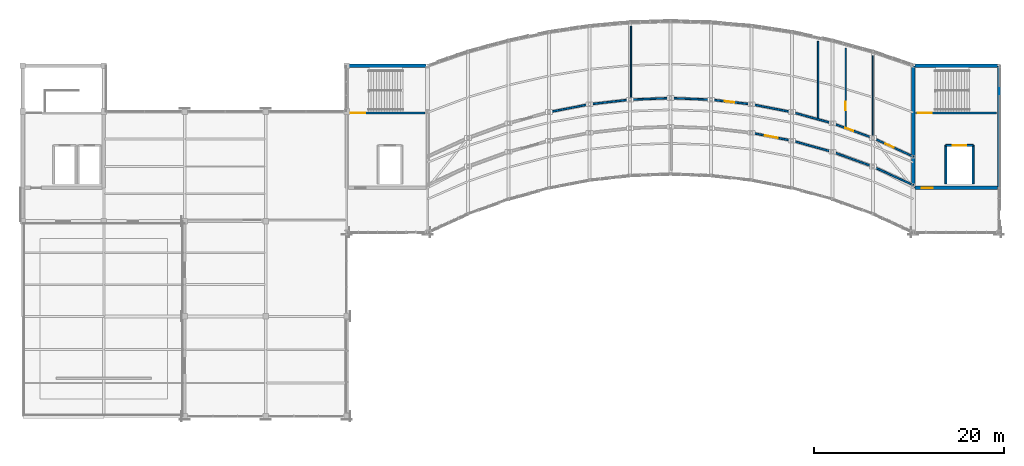
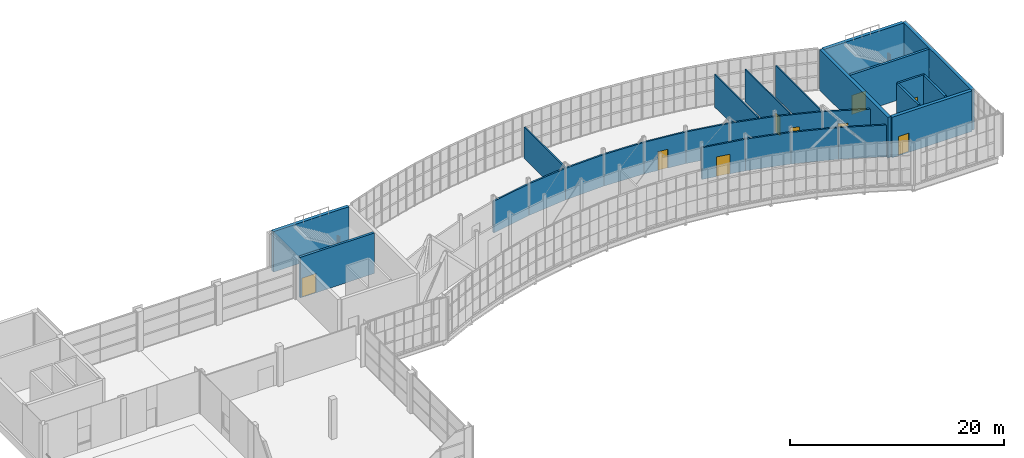
# One storey, part 41 of 46: 27 walls, 9 doors, 9 openings.
"""IFC4 building model written with IfcOpenShell, lengths in metres."""

from ifc_helpers import new_model, si_unit, direction, frame, frame_2d, origin, place, context, subcontext, project, spatial, rectangle, extrude, material, layer, layer_set, type_object, element, fill, save


model = new_model("IFC4")

# Units and contexts
model_context = context("Model", 3, precision=1e-05, world=origin(), true_north=direction((0.0, 1.0)))
body_context = subcontext(model_context, "Body", "Model", "MODEL_VIEW")
ifc_project = project(units=[si_unit("LENGTHUNIT", "METRE"), si_unit("AREAUNIT", "SQUARE_METRE"), si_unit("VOLUMEUNIT", "CUBIC_METRE"), si_unit("PLANEANGLEUNIT", "RADIAN"), si_unit("MASSUNIT", "GRAM", prefix="KILO")], contexts=[model_context])

# Site, building, storey
site_placement = place(None, origin())
site = spatial("IfcSite", under=ifc_project, at=site_placement, CompositionType="ELEMENT")
building_placement = place(site_placement, origin())
building = spatial("IfcBuilding", under=site, at=building_placement, Name="Solvikara Media Centre", CompositionType="ELEMENT")
storey_placement = place(building_placement, frame((0.0, 0.0, 24.60009765625)))
storey = spatial("IfcBuildingStorey", under=building, at=storey_placement, Name="L05", CompositionType="ELEMENT", Elevation=24.60009765625)

# Walls
ifc_material_1 = material(Name="Concrete fc' 45 MPa (C45/55)", Category="concrete")
ifc_layer_1 = layer(ifc_material_1, 0.35009765625)
ifc_layer_set_1 = layer_set([ifc_layer_1], Name="Concrete fc' 45 MPa (C45/55)")
wall_type_1 = type_object("IfcWallType", Name="WT-03", PredefinedType="SHEAR", material=ifc_layer_set_1)
wall_1_placement = place(storey_placement, frame((68.175048828125, 36.800048828125, 0.0), z_axis=(0.0, 0.0, 1.0), x_axis=(1.0, 0.0, 0.0)))
element("IfcWall", 1, at=wall_1_placement, inside=storey, type_object=wall_type_1, Name="CW-C3-L05-N", PredefinedType="SHEAR", context=body_context, shape_type="SweptSolid", body=[
    extrude(rectangle(XDim=8.14990234375, YDim=0.35009765625, at=frame_2d((4.074951171875, 0.0))), origin(), (0.0, 0.0, 1.0), 4.639892578125),
])
for number, where, z_axis, x_axis, name in (
    (2, (127.5, 24.0, 0.0), (0.0, 0.0, 1.0), (0.0, 1.0, 0.0), "CW-C4-L05-W"),
    (3, (136.5, 24.0, 0.0), (0.0, 0.0, 1.0), (0.0, 1.0, 0.0), "CW-C4-L05-E"),
):
    element("IfcWall", number, at=place(storey_placement, frame(where, z_axis=z_axis, x_axis=x_axis)), inside=storey, type_object=wall_type_1, Name=name, PredefinedType="SHEAR", context=body_context, shape_type="SweptSolid", body=[
        extrude(rectangle(XDim=12.800048828125, YDim=0.35009765625, at=frame_2d((6.39990234375, 0.0))), origin(), (0.0, 0.0, 1.0), 4.639892578125),
    ])
wall_2_placement = place(storey_placement, frame((127.675048828125, 36.800048828125, 0.0), z_axis=(0.0, 0.0, 1.0), x_axis=(1.0, 0.0, 0.0)))
element("IfcWall", 4, at=wall_2_placement, inside=storey, type_object=wall_type_1, Name="CW-C4-L05-N", PredefinedType="SHEAR", context=body_context, shape_type="SweptSolid", body=[
    extrude(rectangle(XDim=8.64990234375, YDim=0.35009765625, at=frame_2d((4.324951171875, 0.0))), origin(), (0.0, 0.0, 1.0), 4.639892578125),
])

# Wall, opening, door
wall_3_placement = place(storey_placement, frame((127.675048828125, 24.0, 0.0), z_axis=(0.0, 0.0, 1.0), x_axis=(1.0, 0.0, 0.0)))
wall_3 = element("IfcWall", 5, at=wall_3_placement, inside=storey, type_object=wall_type_1, Name="CW-C4-L05-S", PredefinedType="SHEAR", context=body_context, shape_type="SweptSolid", body=[
    extrude(rectangle(XDim=8.64990234375, YDim=0.35009765625, at=frame_2d((4.324951171875, 0.0))), origin(), (0.0, 0.0, 1.0), 4.639892578125),
])
opening_1_placement = place(wall_3_placement, frame((0.699951171875, 0.0, 0.0)))
opening_1 = element("IfcOpeningElement", 6, at=opening_1_placement, cuts=wall_3, Name="Opening D-C4-L05-LOB", PredefinedType="OPENING", context=body_context, shape_type="SweptSolid", body=[
    extrude(rectangle(XDim=1.14990234375, YDim=2.199951171875, at=frame_2d((0.574951171875, 1.10009765625))), frame((0.0, 0.18701171875, 0.0), z_axis=(0.0, -1.0, 0.0), x_axis=(1.0, 0.0, 0.0)), (0.0, 0.0, 1.0), 0.3740234375),
])
ifc_material_2 = material(Name="Insulated fire-rated steel door leaf", Category="steel")
door_type_1 = type_object("IfcDoorType", Name="DT-09", OperationType="NOTDEFINED", PredefinedType="DOOR", material=ifc_material_2)
door_1_placement = place(opening_1_placement, frame((1.14990234375, 0.0, 0.0), z_axis=(0.0, 0.0, 1.0), x_axis=(-1.0, 0.0, 0.0)))
door_1 = element("IfcDoor", 7, at=door_1_placement, inside=storey, type_object=door_type_1, Name="D-C4-L05-LOB", OperationType="SINGLE_SWING_RIGHT", OverallHeight=2.199951171875, OverallWidth=1.14990234375, PredefinedType="DOOR", context=body_context, shape_type="SweptSolid", body=[
    extrude(rectangle(XDim=1.14990234375, YDim=2.199951171875, at=frame_2d((0.574951171875, 1.10009765625))), frame((0.0, 0.02490234375, 0.0), z_axis=(0.0, -1.0, 0.0), x_axis=(1.0, 0.0, 0.0)), (0.0, 0.0, 1.0), 0.050048828125),
])
fill(opening_1, door_1)

ifc_layer_2 = layer(ifc_material_1, 0.25)
ifc_layer_set_2 = layer_set([ifc_layer_2], Name="Concrete fc' 45 MPa (C45/55)")
wall_type_2 = type_object("IfcWallType", Name="WT-07", PredefinedType="STANDARD", material=ifc_layer_set_2)
wall_4_placement = place(storey_placement, frame((68.25, 31.85009765625, 0.0), z_axis=(0.0, 0.0, 1.0), x_axis=(1.0, 0.0, 0.0)))
wall_4 = element("IfcWall", 8, at=wall_4_placement, inside=storey, type_object=wall_type_2, Name="CW-C3-L05-SD", PredefinedType="STANDARD", context=body_context, shape_type="SweptSolid", body=[
    extrude(rectangle(XDim=8.0, YDim=0.25, at=frame_2d((4.0, 0.0))), origin(), (0.0, 0.0, 1.0), 4.639892578125),
])
opening_2_placement = place(wall_4_placement, frame((0.199951171875, 0.0, 0.0)))
opening_2 = element("IfcOpeningElement", 9, at=opening_2_placement, cuts=wall_4, Name="Opening D-C3-L05-ST", PredefinedType="OPENING", context=body_context, shape_type="SweptSolid", body=[
    extrude(rectangle(XDim=1.5, YDim=2.199951171875, at=frame_2d((0.75, 1.10009765625))), frame((0.0, 0.136962890625, 0.0), z_axis=(0.0, -1.0, 0.0), x_axis=(1.0, 0.0, 0.0)), (0.0, 0.0, 1.0), 0.27392578125),
])
door_type_2 = type_object("IfcDoorType", Name="DT-08", OperationType="DOUBLE_DOOR_SINGLE_SWING", PredefinedType="DOOR", material=ifc_material_2)
door_2_placement = place(opening_2_placement, frame((1.5, 0.0, 0.0), z_axis=(0.0, 0.0, 1.0), x_axis=(-1.0, 0.0, 0.0)))
door_2 = element("IfcDoor", 10, at=door_2_placement, inside=storey, type_object=door_type_2, Name="D-C3-L05-ST", OperationType="DOUBLE_DOOR_SINGLE_SWING", OverallHeight=2.199951171875, OverallWidth=1.5, PredefinedType="DOOR", context=body_context, shape_type="SweptSolid", body=[
    extrude(rectangle(XDim=1.5, YDim=2.199951171875, at=frame_2d((0.75, 1.10009765625))), frame((0.0, 0.02490234375, 0.0), z_axis=(0.0, -1.0, 0.0), x_axis=(1.0, 0.0, 0.0)), (0.0, 0.0, 1.0), 0.050048828125),
])
fill(opening_2, door_2)

wall_5_placement = place(storey_placement, frame((127.75, 31.85009765625, 0.0), z_axis=(0.0, 0.0, 1.0), x_axis=(1.0, 0.0, 0.0)))
wall_5 = element("IfcWall", 11, at=wall_5_placement, inside=storey, type_object=wall_type_2, Name="CW-C4-L05-SD", PredefinedType="STANDARD", context=body_context, shape_type="SweptSolid", body=[
    extrude(rectangle(XDim=8.5, YDim=0.25, at=frame_2d((4.25, 0.0))), origin(), (0.0, 0.0, 1.0), 4.639892578125),
])
opening_3_placement = place(wall_5_placement, frame((0.199951171875, 0.0, 0.0)))
opening_3 = element("IfcOpeningElement", 12, at=opening_3_placement, cuts=wall_5, Name="Opening D-C4-L05-ST", PredefinedType="OPENING", context=body_context, shape_type="SweptSolid", body=[
    extrude(rectangle(XDim=1.5, YDim=2.199951171875, at=frame_2d((0.75, 1.10009765625))), frame((0.0, 0.136962890625, 0.0), z_axis=(0.0, -1.0, 0.0), x_axis=(1.0, 0.0, 0.0)), (0.0, 0.0, 1.0), 0.27392578125),
])
door_3_placement = place(opening_3_placement, frame((1.5, 0.0, 0.0), z_axis=(0.0, 0.0, 1.0), x_axis=(-1.0, 0.0, 0.0)))
door_3 = element("IfcDoor", 13, at=door_3_placement, inside=storey, type_object=door_type_2, Name="D-C4-L05-ST", OperationType="DOUBLE_DOOR_SINGLE_SWING", OverallHeight=2.199951171875, OverallWidth=1.5, PredefinedType="DOOR", context=body_context, shape_type="SweptSolid", body=[
    extrude(rectangle(XDim=1.5, YDim=2.199951171875, at=frame_2d((0.75, 1.10009765625))), frame((0.0, 0.02490234375, 0.0), z_axis=(0.0, -1.0, 0.0), x_axis=(1.0, 0.0, 0.0)), (0.0, 0.0, 1.0), 0.050048828125),
])
fill(opening_3, door_3)

# Walls
ifc_material_3 = material(Name="Fire-rated gypsum and mineral-wool shaft wall assembly")
ifc_layer_3 = layer(ifc_material_3, 0.2099609375)
ifc_layer_set_3 = layer_set([ifc_layer_3], Name="Fire-rated gypsum and mineral-wool shaft wall assembly")
wall_type_3 = type_object("IfcWallType", Name="WT-17", PredefinedType="PARTITIONING", material=ifc_layer_set_3)
for number, where, z_axis, x_axis, name in (
    (14, (130.929931640625, 24.39990234375, 0.0), (0.0, 0.0, 1.0), (0.0, 1.0, 0.0), "LW-LF-G1-L05-W"),
    (15, (133.77001953125, 24.39990234375, 0.0), (0.0, 0.0, 1.0), (0.0, 1.0, 0.0), "LW-LF-G1-L05-E"),
):
    element("IfcWall", number, at=place(storey_placement, frame(where, z_axis=z_axis, x_axis=x_axis)), inside=storey, type_object=wall_type_3, Name=name, PredefinedType="PARTITIONING", context=body_context, shape_type="SweptSolid", body=[
        extrude(rectangle(XDim=4.050048828125, YDim=0.2099609375, at=frame_2d((2.02490234375, 0.0))), origin(), (0.0, 0.0, 1.0), 4.639892578125),
    ])

# Wall, opening, door
wall_6_placement = place(storey_placement, frame((130.929931640625, 28.449951171875, 0.0), z_axis=(0.0, 0.0, 1.0), x_axis=(1.0, 0.0, 0.0)))
wall_6 = element("IfcWall", 16, at=wall_6_placement, inside=storey, type_object=wall_type_3, Name="LW-LF-G1-L05-N", PredefinedType="PARTITIONING", context=body_context, shape_type="SweptSolid", body=[
    extrude(rectangle(XDim=2.840087890625, YDim=0.2099609375, at=frame_2d((1.419921875, 0.0))), origin(), (0.0, 0.0, 1.0), 4.639892578125),
])
opening_4_placement = place(wall_6_placement, frame((0.719970703125, 0.0, 0.0)))
opening_4 = element("IfcOpeningElement", 17, at=opening_4_placement, cuts=wall_6, Name="Opening LD-LF-G1-L05", PredefinedType="OPENING", context=body_context, shape_type="SweptSolid", body=[
    extrude(rectangle(XDim=1.39990234375, YDim=2.35009765625, at=frame_2d((0.699951171875, 1.175048828125))), frame((0.0, 0.116943359375, 0.0), z_axis=(0.0, -1.0, 0.0), x_axis=(1.0, 0.0, 0.0)), (0.0, 0.0, 1.0), 0.23388671875),
])
door_type_3 = type_object("IfcDoorType", Name="LD-03", OperationType="DOUBLE_DOOR_SLIDING", PredefinedType="DOOR", material=ifc_material_2)
door_4_placement = place(opening_4_placement, origin())
door_4 = element("IfcDoor", 18, at=door_4_placement, inside=storey, type_object=door_type_3, Name="LD-LF-G1-L05", OperationType="DOUBLE_DOOR_SLIDING", OverallHeight=2.35009765625, OverallWidth=1.39990234375, PredefinedType="DOOR", context=body_context, shape_type="SweptSolid", body=[
    extrude(rectangle(XDim=1.39990234375, YDim=2.35009765625, at=frame_2d((0.699951171875, 1.175048828125))), frame((0.0, 0.02490234375, 0.0), z_axis=(0.0, -1.0, 0.0), x_axis=(1.0, 0.0, 0.0)), (0.0, 0.0, 1.0), 0.050048828125),
])
fill(opening_4, door_4)

# Walls
ifc_layer_4 = layer(ifc_material_3, 0.179931640625)
ifc_layer_set_4 = layer_set([ifc_layer_4], Name="Fire-rated gypsum and mineral-wool shaft wall assembly")
wall_type_4 = type_object("IfcWallType", Name="WT-18", PredefinedType="PARTITIONING", material=ifc_layer_set_4)
wall_7_placement = place(storey_placement, frame((89.25, 31.946044921875, 0.0), z_axis=(0.0, 0.0, 1.0), x_axis=(0.981803941213, 0.189897396029, 0.0)))
element("IfcWall", 19, at=wall_7_placement, inside=storey, type_object=wall_type_4, Name="PW-L05-144", PredefinedType="PARTITIONING", context=body_context, shape_type="SweptSolid", body=[
    extrude(rectangle(XDim=4.328857421875, YDim=0.179931640625, at=frame_2d((2.16455078125, 0.0))), origin(), (0.0, 0.0, 1.0), 3.617919921875),
])
wall_8_placement = place(storey_placement, frame((93.5, 32.76806640625, 0.0), z_axis=(0.0, 0.0, 1.0), x_axis=(0.993503575407, 0.113800903571, 0.0)))
element("IfcWall", 20, at=wall_8_placement, inside=storey, type_object=wall_type_4, Name="PW-L05-146", PredefinedType="PARTITIONING", context=body_context, shape_type="SweptSolid", body=[
    extrude(rectangle(XDim=4.27783203125, YDim=0.179931640625, at=frame_2d((2.138916015625, 0.0))), origin(), (0.0, 0.0, 1.0), 3.617919921875),
])
for number, where, z_axis, x_axis, name in (
    (21, (97.75, 33.2548828125, 0.0), (0.0, 0.0, 1.0), (0.999273334025, 0.038115664855, 0.0), "PW-L05-148"),
    (22, (102.0, 33.4169921875, 0.0), (0.0, 0.0, 1.0), (0.999273334025, -0.038115664855, 0.0), "PW-L05-150"),
):
    element("IfcWall", number, at=place(storey_placement, frame(where, z_axis=z_axis, x_axis=x_axis)), inside=storey, type_object=wall_type_4, Name=name, PredefinedType="PARTITIONING", context=body_context, shape_type="SweptSolid", body=[
        extrude(rectangle(XDim=4.253173828125, YDim=0.179931640625, at=frame_2d((2.12646484375, 0.0))), origin(), (0.0, 0.0, 1.0), 3.617919921875),
    ])

# Wall, opening, door
wall_9_placement = place(storey_placement, frame((106.25, 33.2548828125, 0.0), z_axis=(0.0, 0.0, 1.0), x_axis=(0.993503575407, -0.113800903571, 0.0)))
wall_9 = element("IfcWall", 23, at=wall_9_placement, inside=storey, type_object=wall_type_4, Name="PW-L05-152", PredefinedType="PARTITIONING", context=body_context, shape_type="SweptSolid", body=[
    extrude(rectangle(XDim=4.27783203125, YDim=0.179931640625, at=frame_2d((2.138916015625, 0.0))), origin(), (0.0, 0.0, 1.0), 3.617919921875),
])
opening_5_placement = place(wall_9_placement, frame((1.449951171875, 0.0, 0.0)))
opening_5 = element("IfcOpeningElement", 24, at=opening_5_placement, cuts=wall_9, Name="Opening D-L05-152-1", PredefinedType="OPENING", context=body_context, shape_type="SweptSolid", body=[
    extrude(rectangle(XDim=1.0, YDim=2.14990234375, at=frame_2d((0.5, 1.074951171875))), frame((0.0, 0.10205078125, 0.0), z_axis=(0.0, -1.0, 0.0), x_axis=(1.0, 0.0, 0.0)), (0.0, 0.0, 1.0), 0.203857421875),
])
ifc_material_4 = material(Name="Solid core acoustic hardwood timber", Category="wood")
door_type_4 = type_object("IfcDoorType", Name="DT-16", OperationType="NOTDEFINED", PredefinedType="DOOR", material=ifc_material_4)
door_5_placement = place(opening_5_placement, origin())
door_5 = element("IfcDoor", 25, at=door_5_placement, inside=storey, type_object=door_type_4, Name="D-L05-152-1", OperationType="SINGLE_SWING_RIGHT", OverallHeight=2.14990234375, OverallWidth=1.0, PredefinedType="DOOR", context=body_context, shape_type="SweptSolid", body=[
    extrude(rectangle(XDim=1.0, YDim=2.14990234375, at=frame_2d((0.5, 1.074951171875))), frame((0.0, 0.02490234375, 0.0), z_axis=(0.0, -1.0, 0.0), x_axis=(1.0, 0.0, 0.0)), (0.0, 0.0, 1.0), 0.050048828125),
])
fill(opening_5, door_5)

wall_10_placement = place(storey_placement, frame((110.5, 29.76806640625, 0.0), z_axis=(0.0, 0.0, 1.0), x_axis=(0.981803941213, -0.189897396029, 0.0)))
wall_10 = element("IfcWall", 26, at=wall_10_placement, inside=storey, type_object=wall_type_4, Name="PW-L05-153", PredefinedType="PARTITIONING", context=body_context, shape_type="SweptSolid", body=[
    extrude(rectangle(XDim=4.328857421875, YDim=0.179931640625, at=frame_2d((2.16455078125, 0.0))), origin(), (0.0, 0.0, 1.0), 3.617919921875),
])
opening_6_placement = place(wall_10_placement, frame((1.449951171875, 0.0, 0.0)))
opening_6 = element("IfcOpeningElement", 27, at=opening_6_placement, cuts=wall_10, Name="Opening D-L05-153-1", PredefinedType="OPENING", context=body_context, shape_type="SweptSolid", body=[
    extrude(rectangle(XDim=1.35009765625, YDim=2.25, at=frame_2d((0.675048828125, 1.125))), frame((0.0, 0.10205078125, 0.0), z_axis=(0.0, -1.0, 0.0), x_axis=(1.0, 0.0, 0.0)), (0.0, 0.0, 1.0), 0.203857421875),
])
ifc_material_5 = material(Name="Anodised aluminium EN AW-6063", Category="aluminium")
door_type_5 = type_object("IfcDoorType", Name="DT-20", OperationType="DOUBLE_DOOR_SINGLE_SWING", PredefinedType="DOOR", material=ifc_material_5)
door_6_placement = place(opening_6_placement, origin())
door_6 = element("IfcDoor", 28, at=door_6_placement, inside=storey, type_object=door_type_5, Name="D-L05-153-1", OperationType="DOUBLE_DOOR_SINGLE_SWING", OverallHeight=2.25, OverallWidth=1.35009765625, PredefinedType="DOOR", context=body_context, shape_type="SweptSolid", body=[
    extrude(rectangle(XDim=1.35009765625, YDim=2.25, at=frame_2d((0.675048828125, 1.125))), frame((0.0, 0.02490234375, 0.0), z_axis=(0.0, -1.0, 0.0), x_axis=(1.0, 0.0, 0.0)), (0.0, 0.0, 1.0), 0.050048828125),
])
fill(opening_6, door_6)

# Walls
wall_11_placement = place(storey_placement, frame((110.5, 32.76806640625, 0.0), z_axis=(0.0, 0.0, 1.0), x_axis=(0.981803941213, -0.189897396029, 0.0)))
element("IfcWall", 29, at=wall_11_placement, inside=storey, type_object=wall_type_4, Name="PW-L05-154", PredefinedType="PARTITIONING", context=body_context, shape_type="SweptSolid", body=[
    extrude(rectangle(XDim=4.328857421875, YDim=0.179931640625, at=frame_2d((2.16455078125, 0.0))), origin(), (0.0, 0.0, 1.0), 3.617919921875),
])
for number, where, z_axis, x_axis, name in (
    (30, (114.75, 28.946044921875, 0.0), (0.0, 0.0, 1.0), (0.964009749544, -0.265866889221, 0.0), "PW-L05-155"),
    (31, (114.75, 31.946044921875, 0.0), (0.0, 0.0, 1.0), (0.964009749544, -0.265866889221, 0.0), "PW-L05-156"),
):
    element("IfcWall", number, at=place(storey_placement, frame(where, z_axis=z_axis, x_axis=x_axis)), inside=storey, type_object=wall_type_4, Name=name, PredefinedType="PARTITIONING", context=body_context, shape_type="SweptSolid", body=[
        extrude(rectangle(XDim=4.40869140625, YDim=0.179931640625, at=frame_2d((2.204345703125, 0.0))), origin(), (0.0, 0.0, 1.0), 3.617919921875),
    ])
wall_12_placement = place(storey_placement, frame((119.0, 27.77392578125, 0.0), z_axis=(0.0, 0.0, 1.0), x_axis=(0.939831249065, -0.341639024821, 0.0)))
element("IfcWall", 32, at=wall_12_placement, inside=storey, type_object=wall_type_4, Name="PW-L05-157", PredefinedType="PARTITIONING", context=body_context, shape_type="SweptSolid", body=[
    extrude(rectangle(XDim=4.52197265625, YDim=0.179931640625, at=frame_2d((2.260986328125, 0.0))), origin(), (0.0, 0.0, 1.0), 3.617919921875),
])

# Wall, opening, door
wall_13_placement = place(storey_placement, frame((119.0, 30.77392578125, 0.0), z_axis=(0.0, 0.0, 1.0), x_axis=(0.939831249065, -0.341639024821, 0.0)))
wall_13 = element("IfcWall", 33, at=wall_13_placement, inside=storey, type_object=wall_type_4, Name="PW-L05-158", PredefinedType="PARTITIONING", context=body_context, shape_type="SweptSolid", body=[
    extrude(rectangle(XDim=4.52197265625, YDim=0.179931640625, at=frame_2d((2.260986328125, 0.0))), origin(), (0.0, 0.0, 1.0), 3.617919921875),
])
opening_7_placement = place(wall_13_placement, frame((1.449951171875, 0.0, 0.0)))
opening_7 = element("IfcOpeningElement", 34, at=opening_7_placement, cuts=wall_13, Name="Opening D-L05-158-1", PredefinedType="OPENING", context=body_context, shape_type="SweptSolid", body=[
    extrude(rectangle(XDim=0.89990234375, YDim=2.14990234375, at=frame_2d((0.449951171875, 1.074951171875))), frame((0.0, 0.10205078125, 0.0), z_axis=(0.0, -1.0, 0.0), x_axis=(1.0, 0.0, 0.0)), (0.0, 0.0, 1.0), 0.203857421875),
])
door_type_6 = type_object("IfcDoorType", Name="DT-18", OperationType="NOTDEFINED", PredefinedType="DOOR", material=ifc_material_4)
door_7_placement = place(opening_7_placement, origin())
door_7 = element("IfcDoor", 35, at=door_7_placement, inside=storey, type_object=door_type_6, Name="D-L05-158-1", OperationType="SINGLE_SWING_LEFT", OverallHeight=2.14990234375, OverallWidth=0.89990234375, PredefinedType="DOOR", context=body_context, shape_type="SweptSolid", body=[
    extrude(rectangle(XDim=0.89990234375, YDim=2.14990234375, at=frame_2d((0.449951171875, 1.074951171875))), frame((0.0, 0.02490234375, 0.0), z_axis=(0.0, -1.0, 0.0), x_axis=(1.0, 0.0, 0.0)), (0.0, 0.0, 1.0), 0.050048828125),
])
fill(opening_7, door_7)

# Wall
wall_14_placement = place(storey_placement, frame((123.25, 26.22900390625, 0.0), z_axis=(0.0, 0.0, 1.0), x_axis=(0.908484112169, -0.417919391673, 0.0)))
element("IfcWall", 36, at=wall_14_placement, inside=storey, type_object=wall_type_4, Name="PW-L05-159", PredefinedType="PARTITIONING", context=body_context, shape_type="SweptSolid", body=[
    extrude(rectangle(XDim=4.67822265625, YDim=0.179931640625, at=frame_2d((2.339111328125, 0.0))), origin(), (0.0, 0.0, 1.0), 3.617919921875),
])

# Wall, opening, door
wall_15_placement = place(storey_placement, frame((123.25, 29.22900390625, 0.0), z_axis=(0.0, 0.0, 1.0), x_axis=(0.908484112169, -0.417919391673, 0.0)))
wall_15 = element("IfcWall", 37, at=wall_15_placement, inside=storey, type_object=wall_type_4, Name="PW-L05-160", PredefinedType="PARTITIONING", context=body_context, shape_type="SweptSolid", body=[
    extrude(rectangle(XDim=4.67822265625, YDim=0.179931640625, at=frame_2d((2.339111328125, 0.0))), origin(), (0.0, 0.0, 1.0), 3.617919921875),
])
opening_8_placement = place(wall_15_placement, frame((1.449951171875, 0.0, 0.0)))
opening_8 = element("IfcOpeningElement", 38, at=opening_8_placement, cuts=wall_15, Name="Opening D-L05-160-1", PredefinedType="OPENING", context=body_context, shape_type="SweptSolid", body=[
    extrude(rectangle(XDim=0.949951171875, YDim=2.14990234375, at=frame_2d((0.47509765625, 1.074951171875))), frame((0.0, 0.10205078125, 0.0), z_axis=(0.0, -1.0, 0.0), x_axis=(1.0, 0.0, 0.0)), (0.0, 0.0, 1.0), 0.203857421875),
])
door_type_7 = type_object("IfcDoorType", Name="DT-17", OperationType="NOTDEFINED", PredefinedType="DOOR", material=ifc_material_4)
door_8_placement = place(opening_8_placement, frame((0.949951171875, 0.0, 0.0), z_axis=(0.0, 0.0, 1.0), x_axis=(-1.0, 0.0, 0.0)))
door_8 = element("IfcDoor", 39, at=door_8_placement, inside=storey, type_object=door_type_7, Name="D-L05-160-1", OperationType="SINGLE_SWING_RIGHT", OverallHeight=2.14990234375, OverallWidth=0.949951171875, PredefinedType="DOOR", context=body_context, shape_type="SweptSolid", body=[
    extrude(rectangle(XDim=0.949951171875, YDim=2.14990234375, at=frame_2d((0.47509765625, 1.074951171875))), frame((0.0, 0.02490234375, 0.0), z_axis=(0.0, -1.0, 0.0), x_axis=(1.0, 0.0, 0.0)), (0.0, 0.0, 1.0), 0.050048828125),
])
fill(opening_8, door_8)

# Walls
ifc_material_6 = material(Name="Double-stud acoustic gypsum partition assembly")
ifc_layer_5 = layer(ifc_material_6, 0.139892578125)
ifc_layer_set_5 = layer_set([ifc_layer_5], Name="Double-stud acoustic gypsum partition assembly")
wall_type_5 = type_object("IfcWallType", Name="WT-20", PredefinedType="PARTITIONING", material=ifc_layer_set_5)
wall_16_placement = place(storey_placement, frame((97.85009765625, 33.31298828125, 0.0), z_axis=(0.0, 0.0, 1.0), x_axis=(0.0, 1.0, 0.0)))
element("IfcWall", 40, at=wall_16_placement, inside=storey, type_object=wall_type_5, Name="PW-L05-162", PredefinedType="PARTITIONING", context=body_context, shape_type="SweptSolid", body=[
    extrude(rectangle(XDim=7.634033203125, YDim=0.139892578125, at=frame_2d((3.81689453125, 0.0))), origin(), (0.0, 0.0, 1.0), 3.617919921875),
])
wall_17_placement = place(storey_placement, frame((117.5, 31.279052734375, 0.0), z_axis=(0.0, 0.0, 1.0), x_axis=(0.0, 1.0, 0.0)))
element("IfcWall", 41, at=wall_17_placement, inside=storey, type_object=wall_type_5, Name="PW-L05-163", PredefinedType="PARTITIONING", context=body_context, shape_type="SweptSolid", body=[
    extrude(rectangle(XDim=8.099853515625, YDim=0.139892578125, at=frame_2d((4.0498046875, 0.0))), origin(), (0.0, 0.0, 1.0), 3.718017578125),
])

# Wall, opening, door
ifc_layer_6 = layer(ifc_material_6, 0.1201171875)
ifc_layer_set_6 = layer_set([ifc_layer_6], Name="Double-stud acoustic gypsum partition assembly")
wall_type_6 = type_object("IfcWallType", Name="WT-21", PredefinedType="PARTITIONING", material=ifc_layer_set_6)
wall_18_placement = place(storey_placement, frame((120.39990234375, 30.35791015625, 0.0), z_axis=(0.0, 0.0, 1.0), x_axis=(0.0, 1.0, 0.0)))
wall_18 = element("IfcWall", 42, at=wall_18_placement, inside=storey, type_object=wall_type_6, Name="PW-L05-164", PredefinedType="PARTITIONING", context=body_context, shape_type="SweptSolid", body=[
    extrude(rectangle(XDim=8.318115234375, YDim=0.1201171875, at=frame_2d((4.1591796875, 0.0))), origin(), (0.0, 0.0, 1.0), 3.718017578125),
])
opening_9_placement = place(wall_18_placement, frame((1.800048828125, 0.0, 0.0)))
opening_9 = element("IfcOpeningElement", 43, at=opening_9_placement, cuts=wall_18, Name="Opening D-L05-164-1", PredefinedType="OPENING", context=body_context, shape_type="SweptSolid", body=[
    extrude(rectangle(XDim=0.89990234375, YDim=2.14990234375, at=frame_2d((0.449951171875, 1.074951171875))), frame((0.0, 0.072021484375, 0.0), z_axis=(0.0, -1.0, 0.0), x_axis=(1.0, 0.0, 0.0)), (0.0, 0.0, 1.0), 0.14404296875),
])
door_9_placement = place(opening_9_placement, origin())
door_9 = element("IfcDoor", 44, at=door_9_placement, inside=storey, type_object=door_type_6, Name="D-L05-164-1", OperationType="SINGLE_SWING_LEFT", OverallHeight=2.14990234375, OverallWidth=0.89990234375, PredefinedType="DOOR", context=body_context, shape_type="SweptSolid", body=[
    extrude(rectangle(XDim=0.89990234375, YDim=2.14990234375, at=frame_2d((0.449951171875, 1.074951171875))), frame((0.0, 0.02490234375, 0.0), z_axis=(0.0, -1.0, 0.0), x_axis=(1.0, 0.0, 0.0)), (0.0, 0.0, 1.0), 0.050048828125),
])
fill(opening_9, door_9)

# Wall
wall_19_placement = place(storey_placement, frame((123.25, 29.279052734375, 0.0), z_axis=(0.0, 0.0, 1.0), x_axis=(0.0, 1.0, 0.0)))
element("IfcWall", 45, at=wall_19_placement, inside=storey, type_object=wall_type_6, Name="PW-L05-165", PredefinedType="PARTITIONING", context=body_context, shape_type="SweptSolid", body=[
    extrude(rectangle(XDim=8.5810546875, YDim=0.1201171875, at=frame_2d((4.29052734375, 0.0))), origin(), (0.0, 0.0, 1.0), 3.617919921875),
])

save(model, "model.ifc")
